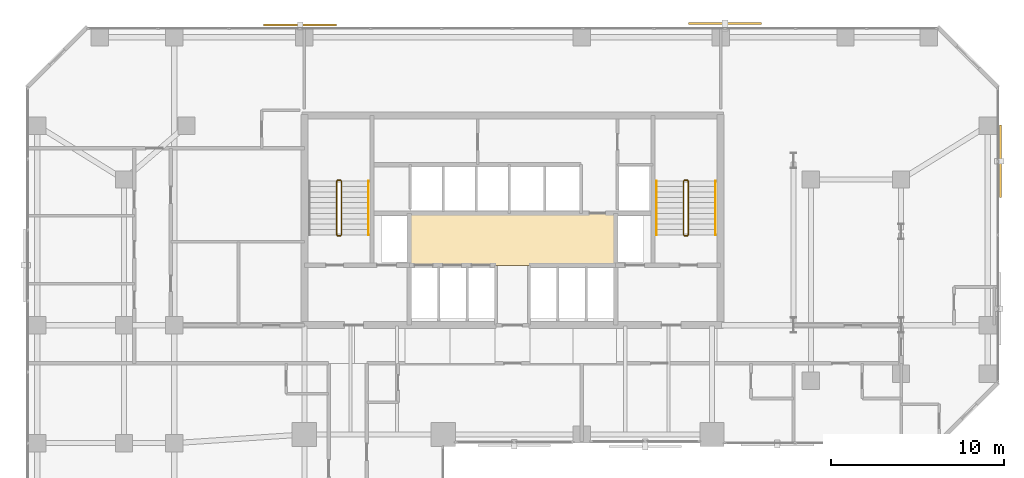
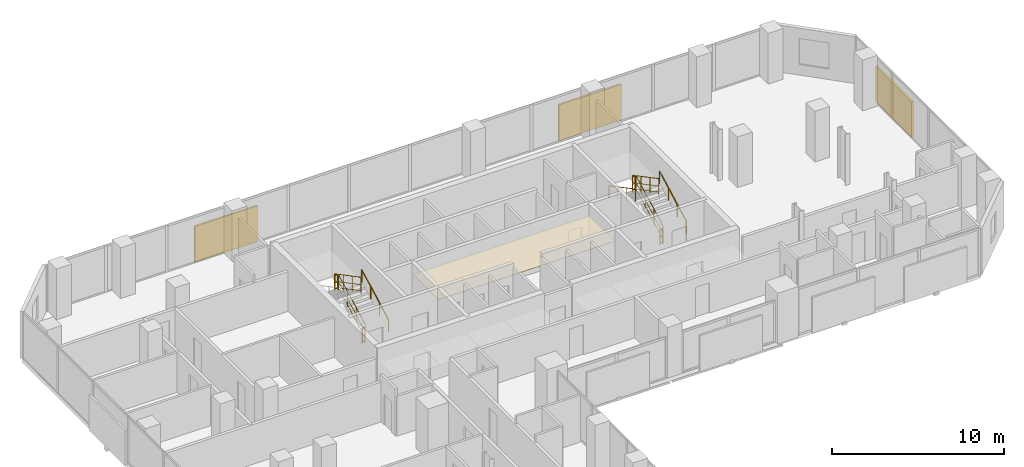
# One storey, part 31 of 31: 11 railings, 3 shading devices, 1 covering.
"""IFC4 building model written with IfcOpenShell, lengths in metres."""

from ifc_helpers import new_model, si_unit, direction, frame, origin, origin_2d, place, context, subcontext, project, spatial, polyline, rectangle, circle, outline, extrude, material, layer, layer_set, type_object, element, save


model = new_model("IFC4")

# Units and contexts
model_context = context("Model", 3, precision=1e-05, world=origin(), true_north=direction((0.0, 1.0)))
body_context = subcontext(model_context, "Body", "Model", "MODEL_VIEW")
ifc_project = project(units=[si_unit("LENGTHUNIT", "METRE"), si_unit("AREAUNIT", "SQUARE_METRE"), si_unit("VOLUMEUNIT", "CUBIC_METRE"), si_unit("PLANEANGLEUNIT", "RADIAN"), si_unit("MASSUNIT", "GRAM", prefix="KILO")], contexts=[model_context])

# Site, building, storey
site_placement = place(None, origin())
site = spatial("IfcSite", under=ifc_project, at=site_placement, CompositionType="ELEMENT")
building_placement = place(site_placement, origin())
building = spatial("IfcBuilding", under=site, at=building_placement, Name="Catumbela Crestline Tower", CompositionType="ELEMENT")
storey_placement = place(building_placement, frame((0.0, 0.0, 36.6)))
storey = spatial("IfcBuildingStorey", under=building, at=storey_placement, Name="L08", CompositionType="ELEMENT", Elevation=36.6)

# Covering
ifc_material_1 = material(Name="Mineral-fibre acoustic ceiling")
ifc_layer = layer(ifc_material_1, 0.03, Name="Mineral-fibre acoustic ceiling")
ifc_layer_set = layer_set([ifc_layer], Name="Mineral-fibre acoustic ceiling")
covering_type = type_object("IfcCoveringType", Name="CC-AC", PredefinedType="CEILING", material=ifc_layer_set)
covering_placement = place(storey_placement, frame((0.0, 0.0, 2.65)))
element("IfcCovering", 1, at=covering_placement, inside=storey, type_object=covering_type, Name="L08 Lift Lobby Acoustic Ceiling", PredefinedType="CEILING", context=body_context, shape_type="SweptSolid", body=[
    extrude(outline(polyline([(22.05, 34.25), (33.95, 34.25), (33.95, 37.25), (22.05, 37.25), (22.05, 34.25)])), origin(), (0.0, 0.0, 1.0), 0.03),
])

# Railings
ifc_material_2 = material(Name="Stainless steel EN 1.4401", Category="steel")
railing_type_1 = type_object("IfcRailingType", Name="RG-1100", PredefinedType="GUARDRAIL", material=ifc_material_2)
railing_1_placement = place(storey_placement, frame((18.14, 36.0, 0.1636)))
element("IfcRailing", 2, at=railing_1_placement, inside=storey, type_object=railing_type_1, Name="L08 ST-01 stair guard 1", PredefinedType="GUARDRAIL", context=body_context, shape_type="SweptSolid", body=[
    extrude(circle(Radius=0.024, at=origin_2d()), frame((0.0, 0.0, 1.076), z_axis=(0.0, 0.884350731049, 0.466823076222), x_axis=(-1.0, 0.0, 0.0)), (0.0, 0.0, 1.0), 3.5054),
    extrude(circle(Radius=0.0156, at=origin_2d()), frame((0.0, 0.0, 0.55), z_axis=(0.0, 0.884350731049, 0.466823076222), x_axis=(-1.0, 0.0, 0.0)), (0.0, 0.0, 1.0), 3.5054),
    extrude(circle(Radius=0.0156, at=origin_2d()), frame((0.0, 0.0, 0.12), z_axis=(0.0, 0.884350731049, 0.466823076222), x_axis=(-1.0, 0.0, 0.0)), (0.0, 0.0, 1.0), 3.5054),
    extrude(circle(Radius=0.021, at=origin_2d()), origin(), (0.0, 0.0, 1.0), 1.052),
    extrude(circle(Radius=0.021, at=origin_2d()), frame((0.0, 1.0333, 0.5455)), (0.0, 0.0, 1.0), 1.052),
    extrude(circle(Radius=0.021, at=origin_2d()), frame((0.0, 2.0667, 1.0909)), (0.0, 0.0, 1.0), 1.052),
    extrude(circle(Radius=0.021, at=origin_2d()), frame((0.0, 3.1, 1.6364)), (0.0, 0.0, 1.0), 1.052),
])
railing_2_placement = place(storey_placement, frame((18.09, 39.15, 1.8)))
element("IfcRailing", 3, at=railing_2_placement, inside=storey, type_object=railing_type_1, Name="L08 ST-01 stair guard 2", PredefinedType="GUARDRAIL", context=body_context, shape_type="SweptSolid", body=[
    extrude(circle(Radius=0.024, at=origin_2d()), frame((0.0, 0.0, 1.076), z_axis=(-1.0, 0.0, 0.0), x_axis=(0.0, -1.0, 0.0)), (0.0, 0.0, 1.0), 0.18),
    extrude(circle(Radius=0.0156, at=origin_2d()), frame((0.0, 0.0, 0.55), z_axis=(-1.0, 0.0, 0.0), x_axis=(0.0, -1.0, 0.0)), (0.0, 0.0, 1.0), 0.18),
    extrude(circle(Radius=0.0156, at=origin_2d()), frame((0.0, 0.0, 0.12), z_axis=(-1.0, 0.0, 0.0), x_axis=(0.0, -1.0, 0.0)), (0.0, 0.0, 1.0), 0.18),
    extrude(circle(Radius=0.021, at=origin_2d()), origin(), (0.0, 0.0, 1.0), 1.052),
    extrude(circle(Radius=0.021, at=origin_2d()), frame((-0.18, 0.0, 0.0)), (0.0, 0.0, 1.0), 1.052),
])
railing_3_placement = place(storey_placement, frame((17.86, 39.1, 1.9636)))
element("IfcRailing", 4, at=railing_3_placement, inside=storey, type_object=railing_type_1, Name="L08 ST-01 stair guard 3", PredefinedType="GUARDRAIL", context=body_context, shape_type="SweptSolid", body=[
    extrude(circle(Radius=0.024, at=origin_2d()), frame((0.0, 0.0, 1.076), z_axis=(0.0, -0.884350731049, 0.466823076222), x_axis=(1.0, 0.0, 0.0)), (0.0, 0.0, 1.0), 3.5054),
    extrude(circle(Radius=0.0156, at=origin_2d()), frame((0.0, 0.0, 0.55), z_axis=(0.0, -0.884350731049, 0.466823076222), x_axis=(1.0, 0.0, 0.0)), (0.0, 0.0, 1.0), 3.5054),
    extrude(circle(Radius=0.0156, at=origin_2d()), frame((0.0, 0.0, 0.12), z_axis=(0.0, -0.884350731049, 0.466823076222), x_axis=(1.0, 0.0, 0.0)), (0.0, 0.0, 1.0), 3.5054),
    extrude(circle(Radius=0.021, at=origin_2d()), origin(), (0.0, 0.0, 1.0), 1.052),
    extrude(circle(Radius=0.021, at=origin_2d()), frame((0.0, -1.0333, 0.5455)), (0.0, 0.0, 1.0), 1.052),
    extrude(circle(Radius=0.021, at=origin_2d()), frame((0.0, -2.0667, 1.0909)), (0.0, 0.0, 1.0), 1.052),
    extrude(circle(Radius=0.021, at=origin_2d()), frame((0.0, -3.1, 1.6364)), (0.0, 0.0, 1.0), 1.052),
])
railing_4_placement = place(storey_placement, frame((18.09, 35.95, 0.0)))
element("IfcRailing", 5, at=railing_4_placement, inside=storey, type_object=railing_type_1, Name="L08 ST-01 stair guard 4", PredefinedType="GUARDRAIL", context=body_context, shape_type="SweptSolid", body=[
    extrude(circle(Radius=0.024, at=origin_2d()), frame((0.0, 0.0, 1.076), z_axis=(-1.0, 0.0, 0.0), x_axis=(0.0, -1.0, 0.0)), (0.0, 0.0, 1.0), 0.18),
    extrude(circle(Radius=0.0156, at=origin_2d()), frame((0.0, 0.0, 0.55), z_axis=(-1.0, 0.0, 0.0), x_axis=(0.0, -1.0, 0.0)), (0.0, 0.0, 1.0), 0.18),
    extrude(circle(Radius=0.0156, at=origin_2d()), frame((0.0, 0.0, 0.12), z_axis=(-1.0, 0.0, 0.0), x_axis=(0.0, -1.0, 0.0)), (0.0, 0.0, 1.0), 0.18),
    extrude(circle(Radius=0.021, at=origin_2d()), origin(), (0.0, 0.0, 1.0), 1.052),
    extrude(circle(Radius=0.021, at=origin_2d()), frame((-0.18, 0.0, 0.0)), (0.0, 0.0, 1.0), 1.052),
])
railing_5_placement = place(storey_placement, frame((38.14, 36.0, 0.1636)))
element("IfcRailing", 6, at=railing_5_placement, inside=storey, type_object=railing_type_1, Name="L08 ST-02 stair guard 1", PredefinedType="GUARDRAIL", context=body_context, shape_type="SweptSolid", body=[
    extrude(circle(Radius=0.024, at=origin_2d()), frame((0.0, 0.0, 1.076), z_axis=(0.0, 0.884350731049, 0.466823076222), x_axis=(-1.0, 0.0, 0.0)), (0.0, 0.0, 1.0), 3.5054),
    extrude(circle(Radius=0.0156, at=origin_2d()), frame((0.0, 0.0, 0.55), z_axis=(0.0, 0.884350731049, 0.466823076222), x_axis=(-1.0, 0.0, 0.0)), (0.0, 0.0, 1.0), 3.5054),
    extrude(circle(Radius=0.0156, at=origin_2d()), frame((0.0, 0.0, 0.12), z_axis=(0.0, 0.884350731049, 0.466823076222), x_axis=(-1.0, 0.0, 0.0)), (0.0, 0.0, 1.0), 3.5054),
    extrude(circle(Radius=0.021, at=origin_2d()), origin(), (0.0, 0.0, 1.0), 1.052),
    extrude(circle(Radius=0.021, at=origin_2d()), frame((0.0, 1.0333, 0.5455)), (0.0, 0.0, 1.0), 1.052),
    extrude(circle(Radius=0.021, at=origin_2d()), frame((0.0, 2.0667, 1.0909)), (0.0, 0.0, 1.0), 1.052),
    extrude(circle(Radius=0.021, at=origin_2d()), frame((0.0, 3.1, 1.6364)), (0.0, 0.0, 1.0), 1.052),
])
railing_6_placement = place(storey_placement, frame((38.09, 39.15, 1.8)))
element("IfcRailing", 7, at=railing_6_placement, inside=storey, type_object=railing_type_1, Name="L08 ST-02 stair guard 2", PredefinedType="GUARDRAIL", context=body_context, shape_type="SweptSolid", body=[
    extrude(circle(Radius=0.024, at=origin_2d()), frame((0.0, 0.0, 1.076), z_axis=(-1.0, 0.0, 0.0), x_axis=(0.0, -1.0, 0.0)), (0.0, 0.0, 1.0), 0.18),
    extrude(circle(Radius=0.0156, at=origin_2d()), frame((0.0, 0.0, 0.55), z_axis=(-1.0, 0.0, 0.0), x_axis=(0.0, -1.0, 0.0)), (0.0, 0.0, 1.0), 0.18),
    extrude(circle(Radius=0.0156, at=origin_2d()), frame((0.0, 0.0, 0.12), z_axis=(-1.0, 0.0, 0.0), x_axis=(0.0, -1.0, 0.0)), (0.0, 0.0, 1.0), 0.18),
    extrude(circle(Radius=0.021, at=origin_2d()), origin(), (0.0, 0.0, 1.0), 1.052),
    extrude(circle(Radius=0.021, at=origin_2d()), frame((-0.18, 0.0, 0.0)), (0.0, 0.0, 1.0), 1.052),
])
railing_7_placement = place(storey_placement, frame((37.86, 39.1, 1.9636)))
element("IfcRailing", 8, at=railing_7_placement, inside=storey, type_object=railing_type_1, Name="L08 ST-02 stair guard 3", PredefinedType="GUARDRAIL", context=body_context, shape_type="SweptSolid", body=[
    extrude(circle(Radius=0.024, at=origin_2d()), frame((0.0, 0.0, 1.076), z_axis=(0.0, -0.884350731049, 0.466823076222), x_axis=(1.0, 0.0, 0.0)), (0.0, 0.0, 1.0), 3.5054),
    extrude(circle(Radius=0.0156, at=origin_2d()), frame((0.0, 0.0, 0.55), z_axis=(0.0, -0.884350731049, 0.466823076222), x_axis=(1.0, 0.0, 0.0)), (0.0, 0.0, 1.0), 3.5054),
    extrude(circle(Radius=0.0156, at=origin_2d()), frame((0.0, 0.0, 0.12), z_axis=(0.0, -0.884350731049, 0.466823076222), x_axis=(1.0, 0.0, 0.0)), (0.0, 0.0, 1.0), 3.5054),
    extrude(circle(Radius=0.021, at=origin_2d()), origin(), (0.0, 0.0, 1.0), 1.052),
    extrude(circle(Radius=0.021, at=origin_2d()), frame((0.0, -1.0333, 0.5455)), (0.0, 0.0, 1.0), 1.052),
    extrude(circle(Radius=0.021, at=origin_2d()), frame((0.0, -2.0667, 1.0909)), (0.0, 0.0, 1.0), 1.052),
    extrude(circle(Radius=0.021, at=origin_2d()), frame((0.0, -3.1, 1.6364)), (0.0, 0.0, 1.0), 1.052),
])
railing_8_placement = place(storey_placement, frame((38.09, 35.95, 0.0)))
element("IfcRailing", 9, at=railing_8_placement, inside=storey, type_object=railing_type_1, Name="L08 ST-02 stair guard 4", PredefinedType="GUARDRAIL", context=body_context, shape_type="SweptSolid", body=[
    extrude(circle(Radius=0.024, at=origin_2d()), frame((0.0, 0.0, 1.076), z_axis=(-1.0, 0.0, 0.0), x_axis=(0.0, -1.0, 0.0)), (0.0, 0.0, 1.0), 0.18),
    extrude(circle(Radius=0.0156, at=origin_2d()), frame((0.0, 0.0, 0.55), z_axis=(-1.0, 0.0, 0.0), x_axis=(0.0, -1.0, 0.0)), (0.0, 0.0, 1.0), 0.18),
    extrude(circle(Radius=0.0156, at=origin_2d()), frame((0.0, 0.0, 0.12), z_axis=(-1.0, 0.0, 0.0), x_axis=(0.0, -1.0, 0.0)), (0.0, 0.0, 1.0), 0.18),
    extrude(circle(Radius=0.021, at=origin_2d()), origin(), (0.0, 0.0, 1.0), 1.052),
    extrude(circle(Radius=0.021, at=origin_2d()), frame((-0.18, 0.0, 0.0)), (0.0, 0.0, 1.0), 1.052),
])
railing_type_2 = type_object("IfcRailingType", Name="RH-0900", PredefinedType="HANDRAIL", material=ifc_material_2)
for number, where, name in (
    (10, (19.7, 36.0, 0.1636), "L08 ST-01 stair handrail 1"),
    (11, (39.7, 36.0, 0.1636), "L08 ST-02 stair handrail 1"),
):
    element("IfcRailing", number, at=place(storey_placement, frame(where)), inside=storey, type_object=railing_type_2, Name=name, PredefinedType="HANDRAIL", context=body_context, shape_type="SweptSolid", body=[
        extrude(circle(Radius=0.024, at=origin_2d()), frame((0.0, 0.0, 0.876), z_axis=(0.0, 0.884350731049, 0.466823076222), x_axis=(-1.0, 0.0, 0.0)), (0.0, 0.0, 1.0), 3.5054),
        extrude(circle(Radius=0.021, at=origin_2d()), origin(), (0.0, 0.0, 1.0), 0.852),
        extrude(circle(Radius=0.021, at=origin_2d()), frame((0.0, 1.0333, 0.5455)), (0.0, 0.0, 1.0), 0.852),
        extrude(circle(Radius=0.021, at=origin_2d()), frame((0.0, 2.0667, 1.0909)), (0.0, 0.0, 1.0), 0.852),
        extrude(circle(Radius=0.021, at=origin_2d()), frame((0.0, 3.1, 1.6364)), (0.0, 0.0, 1.0), 0.852),
    ])
railing_9_placement = place(storey_placement, frame((36.3, 39.1, 1.9636)))
element("IfcRailing", 12, at=railing_9_placement, inside=storey, type_object=railing_type_2, Name="L08 ST-02 stair handrail 2", PredefinedType="HANDRAIL", context=body_context, shape_type="SweptSolid", body=[
    extrude(circle(Radius=0.024, at=origin_2d()), frame((0.0, 0.0, 0.876), z_axis=(0.0, -0.884350731049, 0.466823076222), x_axis=(1.0, 0.0, 0.0)), (0.0, 0.0, 1.0), 3.5054),
    extrude(circle(Radius=0.021, at=origin_2d()), origin(), (0.0, 0.0, 1.0), 0.852),
    extrude(circle(Radius=0.021, at=origin_2d()), frame((0.0, -1.0333, 0.5455)), (0.0, 0.0, 1.0), 0.852),
    extrude(circle(Radius=0.021, at=origin_2d()), frame((0.0, -2.0667, 1.0909)), (0.0, 0.0, 1.0), 0.852),
    extrude(circle(Radius=0.021, at=origin_2d()), frame((0.0, -3.1, 1.6364)), (0.0, 0.0, 1.0), 0.852),
])

# Shading devices
ifc_material_3 = material(Name="Extruded terracotta ceramic", Category="masonry")
shading_device_type_1 = type_object("IfcShadingDeviceType", Name="ST-180", PredefinedType="USERDEFINED", material=ifc_material_3)
shading_device_1_placement = place(storey_placement, frame((15.75, 48.099, -0.1), z_axis=(0.0, 0.0, 1.0), x_axis=(-1.0, 0.0, 0.0)))
element("IfcShadingDevice", 13, at=shading_device_1_placement, inside=storey, type_object=shading_device_type_1, Name="L08 Perforated Terracotta Solar Screen 54 (180 mm)", ObjectType="SCREEN", PredefinedType="USERDEFINED", context=body_context, shape_type="SweptSolid", body=[
    extrude(rectangle(XDim=4.2, YDim=0.12, at=origin_2d()), origin(), (0.0, 0.0, 1.0), 2.55),
])
shading_device_type_2 = type_object("IfcShadingDeviceType", Name="ST-260", PredefinedType="USERDEFINED", material=ifc_material_3)
shading_device_2_placement = place(storey_placement, frame((56.143, 40.25, -0.1), z_axis=(0.0, 0.0, 1.0), x_axis=(0.0, 1.0, 0.0)))
element("IfcShadingDevice", 14, at=shading_device_2_placement, inside=storey, type_object=shading_device_type_2, Name="L08 Perforated Terracotta Solar Screen 52 (260 mm)", ObjectType="SCREEN", PredefinedType="USERDEFINED", context=body_context, shape_type="SweptSolid", body=[
    extrude(rectangle(XDim=4.2, YDim=0.12, at=origin_2d()), origin(), (0.0, 0.0, 1.0), 2.55),
])
shading_device_type_3 = type_object("IfcShadingDeviceType", Name="ST-340", PredefinedType="USERDEFINED", material=ifc_material_3)
shading_device_3_placement = place(storey_placement, frame((40.25, 48.187, -0.1), z_axis=(0.0, 0.0, 1.0), x_axis=(-1.0, 0.0, 0.0)))
element("IfcShadingDevice", 15, at=shading_device_3_placement, inside=storey, type_object=shading_device_type_3, Name="L08 Perforated Terracotta Solar Screen 53 (340 mm)", ObjectType="SCREEN", PredefinedType="USERDEFINED", context=body_context, shape_type="SweptSolid", body=[
    extrude(rectangle(XDim=4.2, YDim=0.12, at=origin_2d()), origin(), (0.0, 0.0, 1.0), 2.55),
])

save(model, "model.ifc")
